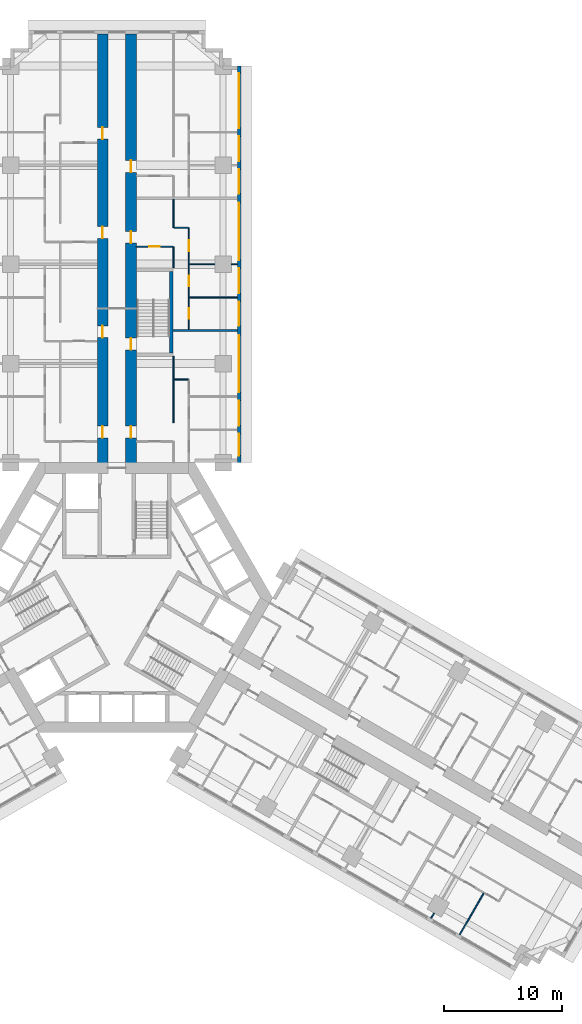
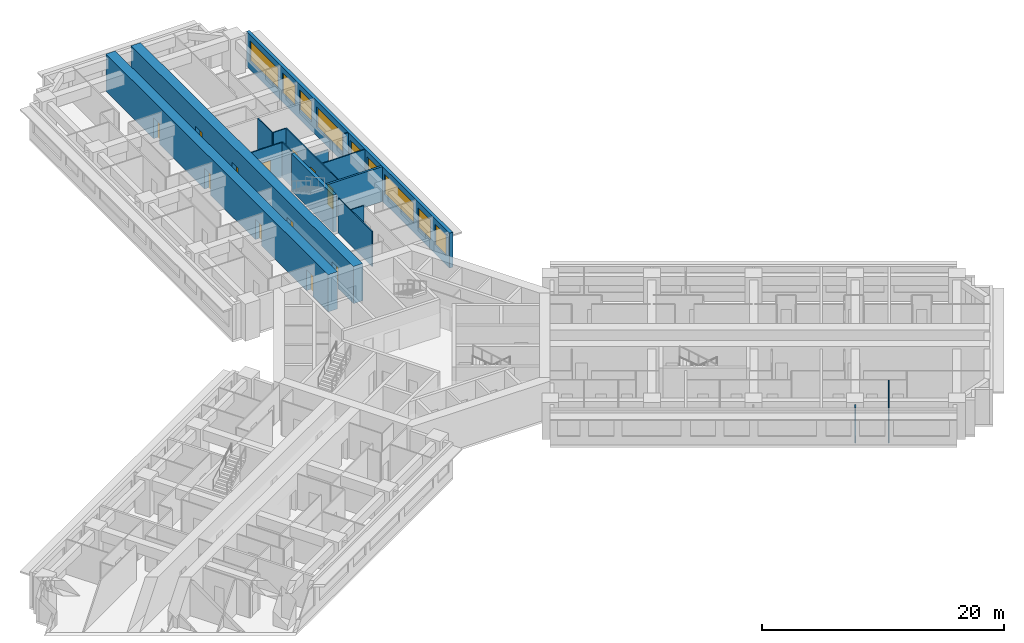
# One storey, part 10 of 16: 17 walls, 12 doors, 9 windows, 21 openings.
"""IFC4 building model written with IfcOpenShell, lengths in metres."""

from ifc_helpers import new_model, si_unit, direction, frame, frame_2d, origin, place, context, subcontext, project, spatial, rectangle, extrude, material, layer, layer_set, type_object, element, fill, save


model = new_model("IFC4")

# Units and contexts
model_context = context("Model", 3, precision=1e-05, world=origin(), true_north=direction((0.0, 1.0)))
body_context = subcontext(model_context, "Body", "Model", "MODEL_VIEW")
ifc_project = project(units=[si_unit("LENGTHUNIT", "METRE"), si_unit("AREAUNIT", "SQUARE_METRE"), si_unit("VOLUMEUNIT", "CUBIC_METRE"), si_unit("PLANEANGLEUNIT", "RADIAN"), si_unit("MASSUNIT", "GRAM", prefix="KILO")], contexts=[model_context])

# Site, building, storey
site_placement = place(None, origin())
site = spatial("IfcSite", under=ifc_project, at=site_placement, CompositionType="ELEMENT")
building_placement = place(site_placement, origin())
building = spatial("IfcBuilding", under=site, at=building_placement, Name="Impinga Residences", CompositionType="ELEMENT")
storey_placement = place(building_placement, frame((0.0, 0.0, 78.5)))
storey = spatial("IfcBuildingStorey", under=building, at=storey_placement, Name="L19", CompositionType="ELEMENT", Elevation=78.5)

# Wall, openings, doors
ifc_material_1 = material(Name="Concrete C70/85", Category="concrete")
ifc_layer_1 = layer(ifc_material_1, 0.89990234375)
ifc_layer_set_1 = layer_set([ifc_layer_1], Name="Concrete C70/85")
wall_type_1 = type_object("IfcWallType", Name="BW1 corridor buttress wall, L05 to L22 900", PredefinedType="SHEAR", material=ifc_layer_set_1)
wall_1_placement = place(storey_placement, frame((-1.199951171875, 10.9814453125, 0.0), z_axis=(0.0, 0.0, 1.0), x_axis=(0.0, 1.0, 0.0)))
wall_1 = element("IfcWall", 1, at=wall_1_placement, inside=storey, type_object=wall_type_1, Name="Corridor wall BW1 NC L19", PredefinedType="SHEAR", context=body_context, shape_type="SweptSolid", body=[
    extrude(rectangle(XDim=36.75, YDim=0.89990234375, at=frame_2d((18.375, 0.0))), origin(), (0.0, 0.0, 1.0), 3.75),
])
opening_1_placement = place(wall_1_placement, frame((2.550048828125, 0.0, 0.0)))
opening_1 = element("IfcOpeningElement", 2, at=opening_1_placement, cuts=wall_1, Name="Opening D1", PredefinedType="OPENING", context=body_context, shape_type="SweptSolid", body=[
    extrude(rectangle(XDim=1.0, YDim=2.10009765625, at=frame_2d((0.5, 1.050048828125))), frame((0.0, 0.4599609375, 0.0), z_axis=(0.0, -1.0, 0.0), x_axis=(1.0, 0.0, 0.0)), (0.0, 0.0, 1.0), 0.919921875),
])
opening_2_placement = place(wall_1_placement, frame((11.050048828125, 0.0, 0.0)))
opening_2 = element("IfcOpeningElement", 3, at=opening_2_placement, cuts=wall_1, Name="Opening D1", PredefinedType="OPENING", context=body_context, shape_type="SweptSolid", body=[
    extrude(rectangle(XDim=1.0, YDim=2.10009765625, at=frame_2d((0.5, 1.050048828125))), frame((0.0, 0.4599609375, 0.0), z_axis=(0.0, -1.0, 0.0), x_axis=(1.0, 0.0, 0.0)), (0.0, 0.0, 1.0), 0.919921875),
])
opening_3_placement = place(wall_1_placement, frame((19.449951171875, 0.0, 0.0)))
opening_3 = element("IfcOpeningElement", 4, at=opening_3_placement, cuts=wall_1, Name="Opening D1", PredefinedType="OPENING", context=body_context, shape_type="SweptSolid", body=[
    extrude(rectangle(XDim=1.0, YDim=2.10009765625, at=frame_2d((0.5, 1.050048828125))), frame((0.0, 0.4599609375, 0.0), z_axis=(0.0, -1.0, 0.0), x_axis=(1.0, 0.0, 0.0)), (0.0, 0.0, 1.0), 0.919921875),
])
opening_4_placement = place(wall_1_placement, frame((27.85009765625, 0.0, 0.0)))
opening_4 = element("IfcOpeningElement", 5, at=opening_4_placement, cuts=wall_1, Name="Opening D1", PredefinedType="OPENING", context=body_context, shape_type="SweptSolid", body=[
    extrude(rectangle(XDim=1.0, YDim=2.10009765625, at=frame_2d((0.5, 1.050048828125))), frame((0.0, 0.4599609375, 0.0), z_axis=(0.0, -1.0, 0.0), x_axis=(1.0, 0.0, 0.0)), (0.0, 0.0, 1.0), 0.919921875),
])
ifc_material_2 = material(Name="Timber door set", Category="wood")
door_type_1 = type_object("IfcDoorType", Name="D1 apartment entrance door 1000x2100", OperationType="SINGLE_SWING_LEFT", PredefinedType="DOOR", material=ifc_material_2)
door_1_placement = place(opening_1_placement, origin())
door_1 = element("IfcDoor", 6, at=door_1_placement, inside=storey, type_object=door_type_1, Name="Apartment L19-NA1 entrance", OperationType="SINGLE_SWING_LEFT", OverallHeight=2.10009765625, OverallWidth=1.0, PredefinedType="DOOR", context=body_context, shape_type="SweptSolid", body=[
    extrude(rectangle(XDim=1.0, YDim=2.10009765625, at=frame_2d((0.5, 1.050048828125))), frame((0.0, 0.02490234375, 0.0), z_axis=(0.0, -1.0, 0.0), x_axis=(1.0, 0.0, 0.0)), (0.0, 0.0, 1.0), 0.050048828125),
])
fill(opening_1, door_1)
door_2_placement = place(opening_2_placement, origin())
door_2 = element("IfcDoor", 7, at=door_2_placement, inside=storey, type_object=door_type_1, Name="Apartment L19-NA2 entrance", OperationType="SINGLE_SWING_LEFT", OverallHeight=2.10009765625, OverallWidth=1.0, PredefinedType="DOOR", context=body_context, shape_type="SweptSolid", body=[
    extrude(rectangle(XDim=1.0, YDim=2.10009765625, at=frame_2d((0.5, 1.050048828125))), frame((0.0, 0.02490234375, 0.0), z_axis=(0.0, -1.0, 0.0), x_axis=(1.0, 0.0, 0.0)), (0.0, 0.0, 1.0), 0.050048828125),
])
fill(opening_2, door_2)
door_3_placement = place(opening_3_placement, origin())
door_3 = element("IfcDoor", 8, at=door_3_placement, inside=storey, type_object=door_type_1, Name="Apartment L19-NA3 entrance", OperationType="SINGLE_SWING_RIGHT", OverallHeight=2.10009765625, OverallWidth=1.0, PredefinedType="DOOR", context=body_context, shape_type="SweptSolid", body=[
    extrude(rectangle(XDim=1.0, YDim=2.10009765625, at=frame_2d((0.5, 1.050048828125))), frame((0.0, 0.02490234375, 0.0), z_axis=(0.0, -1.0, 0.0), x_axis=(1.0, 0.0, 0.0)), (0.0, 0.0, 1.0), 0.050048828125),
])
fill(opening_3, door_3)
door_4_placement = place(opening_4_placement, origin())
door_4 = element("IfcDoor", 9, at=door_4_placement, inside=storey, type_object=door_type_1, Name="Apartment L19-NA4 entrance", OperationType="SINGLE_SWING_RIGHT", OverallHeight=2.10009765625, OverallWidth=1.0, PredefinedType="DOOR", context=body_context, shape_type="SweptSolid", body=[
    extrude(rectangle(XDim=1.0, YDim=2.10009765625, at=frame_2d((0.5, 1.050048828125))), frame((0.0, 0.02490234375, 0.0), z_axis=(0.0, -1.0, 0.0), x_axis=(1.0, 0.0, 0.0)), (0.0, 0.0, 1.0), 0.050048828125),
])
fill(opening_4, door_4)

wall_2_placement = place(storey_placement, frame((1.199951171875, 10.9814453125, 0.0), z_axis=(0.0, 0.0, 1.0), x_axis=(0.0, 1.0, 0.0)))
wall_2 = element("IfcWall", 10, at=wall_2_placement, inside=storey, type_object=wall_type_1, Name="Corridor wall BW1 ND L19", PredefinedType="SHEAR", context=body_context, shape_type="SweptSolid", body=[
    extrude(rectangle(XDim=36.75, YDim=0.89990234375, at=frame_2d((18.375, 0.0))), origin(), (0.0, 0.0, 1.0), 3.75),
])
opening_5_placement = place(wall_2_placement, frame((10.0, 0.0, 0.0)))
opening_5 = element("IfcOpeningElement", 11, at=opening_5_placement, cuts=wall_2, Name="Opening D5", PredefinedType="OPENING", context=body_context, shape_type="SweptSolid", body=[
    extrude(rectangle(XDim=1.0, YDim=2.10009765625, at=frame_2d((0.5, 1.050048828125))), frame((0.0, 0.4599609375, 0.0), z_axis=(0.0, -1.0, 0.0), x_axis=(1.0, 0.0, 0.0)), (0.0, 0.0, 1.0), 0.919921875),
])
opening_6_placement = place(wall_2_placement, frame((2.550048828125, 0.0, 0.0)))
opening_6 = element("IfcOpeningElement", 12, at=opening_6_placement, cuts=wall_2, Name="Opening D1", PredefinedType="OPENING", context=body_context, shape_type="SweptSolid", body=[
    extrude(rectangle(XDim=1.0, YDim=2.10009765625, at=frame_2d((0.5, 1.050048828125))), frame((0.0, 0.4599609375, 0.0), z_axis=(0.0, -1.0, 0.0), x_axis=(1.0, 0.0, 0.0)), (0.0, 0.0, 1.0), 0.919921875),
])
opening_7_placement = place(wall_2_placement, frame((19.050048828125, 0.0, 0.0)))
opening_7 = element("IfcOpeningElement", 13, at=opening_7_placement, cuts=wall_2, Name="Opening D1", PredefinedType="OPENING", context=body_context, shape_type="SweptSolid", body=[
    extrude(rectangle(XDim=1.0, YDim=2.10009765625, at=frame_2d((0.5, 1.050048828125))), frame((0.0, 0.4599609375, 0.0), z_axis=(0.0, -1.0, 0.0), x_axis=(1.0, 0.0, 0.0)), (0.0, 0.0, 1.0), 0.919921875),
])
opening_8_placement = place(wall_2_placement, frame((25.050048828125, 0.0, 0.0)))
opening_8 = element("IfcOpeningElement", 14, at=opening_8_placement, cuts=wall_2, Name="Opening D1", PredefinedType="OPENING", context=body_context, shape_type="SweptSolid", body=[
    extrude(rectangle(XDim=1.0, YDim=2.10009765625, at=frame_2d((0.5, 1.050048828125))), frame((0.0, 0.4599609375, 0.0), z_axis=(0.0, -1.0, 0.0), x_axis=(1.0, 0.0, 0.0)), (0.0, 0.0, 1.0), 0.919921875),
])
door_5_placement = place(opening_6_placement, origin())
door_5 = element("IfcDoor", 15, at=door_5_placement, inside=storey, type_object=door_type_1, Name="Apartment L19-NF1 entrance", OperationType="SINGLE_SWING_LEFT", OverallHeight=2.10009765625, OverallWidth=1.0, PredefinedType="DOOR", context=body_context, shape_type="SweptSolid", body=[
    extrude(rectangle(XDim=1.0, YDim=2.10009765625, at=frame_2d((0.5, 1.050048828125))), frame((0.0, 0.02490234375, 0.0), z_axis=(0.0, -1.0, 0.0), x_axis=(1.0, 0.0, 0.0)), (0.0, 0.0, 1.0), 0.050048828125),
])
fill(opening_6, door_5)
door_6_placement = place(opening_7_placement, origin())
door_6 = element("IfcDoor", 16, at=door_6_placement, inside=storey, type_object=door_type_1, Name="Apartment L19-NF2 entrance", OperationType="SINGLE_SWING_RIGHT", OverallHeight=2.10009765625, OverallWidth=1.0, PredefinedType="DOOR", context=body_context, shape_type="SweptSolid", body=[
    extrude(rectangle(XDim=1.0, YDim=2.10009765625, at=frame_2d((0.5, 1.050048828125))), frame((0.0, 0.02490234375, 0.0), z_axis=(0.0, -1.0, 0.0), x_axis=(1.0, 0.0, 0.0)), (0.0, 0.0, 1.0), 0.050048828125),
])
fill(opening_7, door_6)
door_7_placement = place(opening_8_placement, origin())
door_7 = element("IfcDoor", 17, at=door_7_placement, inside=storey, type_object=door_type_1, Name="Apartment L19-NF3 entrance", OperationType="SINGLE_SWING_RIGHT", OverallHeight=2.10009765625, OverallWidth=1.0, PredefinedType="DOOR", context=body_context, shape_type="SweptSolid", body=[
    extrude(rectangle(XDim=1.0, YDim=2.10009765625, at=frame_2d((0.5, 1.050048828125))), frame((0.0, 0.02490234375, 0.0), z_axis=(0.0, -1.0, 0.0), x_axis=(1.0, 0.0, 0.0)), (0.0, 0.0, 1.0), 0.050048828125),
])
fill(opening_8, door_7)
door_type_2 = type_object("IfcDoorType", Name="D5 stair door 1000x2100", OperationType="SINGLE_SWING_LEFT", PredefinedType="DOOR", material=ifc_material_2)
door_8_placement = place(opening_5_placement, origin())
door_8 = element("IfcDoor", 18, at=door_8_placement, inside=storey, type_object=door_type_2, Name="Wing stair door N", OperationType="SINGLE_SWING_LEFT", OverallHeight=2.10009765625, OverallWidth=1.0, PredefinedType="DOOR", context=body_context, shape_type="SweptSolid", body=[
    extrude(rectangle(XDim=1.0, YDim=2.10009765625, at=frame_2d((0.5, 1.050048828125))), frame((0.0, 0.02490234375, 0.0), z_axis=(0.0, -1.0, 0.0), x_axis=(1.0, 0.0, 0.0)), (0.0, 0.0, 1.0), 0.050048828125),
])
fill(opening_5, door_8)

# Wall, openings, windows
ifc_material_3 = material(Name="Terracotta rainscreen on blockwork", Category="masonry")
ifc_layer_2 = layer(ifc_material_3, 0.300048828125)
ifc_layer_set_2 = layer_set([ifc_layer_2], Name="EW1 external wall, terracotta rainscreen on blockwork 300")
wall_type_2 = type_object("IfcWallType", Name="EW1 external wall, terracotta rainscreen on blockwork 300", PredefinedType="SOLIDWALL", material=ifc_layer_set_2)
wall_3_placement = place(storey_placement, frame((10.35009765625, 45.031494140625, 0.0), z_axis=(0.0, 0.0, 1.0), x_axis=(0.0, -1.0, 0.0)))
wall_3 = element("IfcWall", 19, at=wall_3_placement, inside=storey, type_object=wall_type_2, Name="External wall EW1 L19", PredefinedType="SOLIDWALL", context=body_context, shape_type="SweptSolid", body=[
    extrude(rectangle(XDim=33.599853515625, YDim=0.300048828125, at=frame_2d((16.7998046875, 0.0))), origin(), (0.0, 0.0, 1.0), 3.530029296875),
])
opening_9_placement = place(wall_3_placement, frame((0.60009765625, 0.0, 0.89990234375)))
opening_9 = element("IfcOpeningElement", 20, at=opening_9_placement, cuts=wall_3, Name="Opening W10", PredefinedType="OPENING", context=body_context, shape_type="SweptSolid", body=[
    extrude(rectangle(XDim=4.64990234375, YDim=2.050048828125, at=frame_2d((2.324951171875, 1.02490234375))), frame((0.0, 0.159912109375, 0.0), z_axis=(0.0, -1.0, 0.0), x_axis=(1.0, 0.0, 0.0)), (0.0, 0.0, 1.0), 0.320068359375),
])
opening_10_placement = place(wall_3_placement, frame((5.949951171875, 0.0, 0.89990234375)))
opening_10 = element("IfcOpeningElement", 21, at=opening_10_placement, cuts=wall_3, Name="Opening W9", PredefinedType="OPENING", context=body_context, shape_type="SweptSolid", body=[
    extrude(rectangle(XDim=2.10009765625, YDim=2.050048828125, at=frame_2d((1.050048828125, 1.02490234375))), frame((0.0, 0.159912109375, 0.0), z_axis=(0.0, -1.0, 0.0), x_axis=(1.0, 0.0, 0.0)), (0.0, 0.0, 1.0), 0.320068359375),
])
opening_11_placement = place(wall_3_placement, frame((8.75, 0.0, 0.89990234375)))
opening_11 = element("IfcOpeningElement", 22, at=opening_11_placement, cuts=wall_3, Name="Opening W14", PredefinedType="OPENING", context=body_context, shape_type="SweptSolid", body=[
    extrude(rectangle(XDim=2.050048828125, YDim=2.050048828125, at=frame_2d((1.02490234375, 1.02490234375))), frame((0.0, 0.159912109375, 0.0), z_axis=(0.0, -1.0, 0.0), x_axis=(1.0, 0.0, 0.0)), (0.0, 0.0, 1.0), 0.320068359375),
])
opening_12_placement = place(wall_3_placement, frame((11.60009765625, 0.0, 0.89990234375)))
opening_12 = element("IfcOpeningElement", 23, at=opening_12_placement, cuts=wall_3, Name="Opening W6", PredefinedType="OPENING", context=body_context, shape_type="SweptSolid", body=[
    extrude(rectangle(XDim=4.85009765625, YDim=2.050048828125, at=frame_2d((2.425048828125, 1.02490234375))), frame((0.0, 0.159912109375, 0.0), z_axis=(0.0, -1.0, 0.0), x_axis=(1.0, 0.0, 0.0)), (0.0, 0.0, 1.0), 0.320068359375),
])
opening_13_placement = place(wall_3_placement, frame((17.14990234375, 0.0, 0.89990234375)))
opening_13 = element("IfcOpeningElement", 24, at=opening_13_placement, cuts=wall_3, Name="Opening W9", PredefinedType="OPENING", context=body_context, shape_type="SweptSolid", body=[
    extrude(rectangle(XDim=2.10009765625, YDim=2.050048828125, at=frame_2d((1.050048828125, 1.02490234375))), frame((0.0, 0.159912109375, 0.0), z_axis=(0.0, -1.0, 0.0), x_axis=(1.0, 0.0, 0.0)), (0.0, 0.0, 1.0), 0.320068359375),
])
opening_14_placement = place(wall_3_placement, frame((19.949951171875, 0.0, 0.89990234375)))
opening_14 = element("IfcOpeningElement", 25, at=opening_14_placement, cuts=wall_3, Name="Opening W14", PredefinedType="OPENING", context=body_context, shape_type="SweptSolid", body=[
    extrude(rectangle(XDim=2.050048828125, YDim=2.050048828125, at=frame_2d((1.02490234375, 1.02490234375))), frame((0.0, 0.159912109375, 0.0), z_axis=(0.0, -1.0, 0.0), x_axis=(1.0, 0.0, 0.0)), (0.0, 0.0, 1.0), 0.320068359375),
])
opening_15_placement = place(wall_3_placement, frame((22.800048828125, 0.0, 0.89990234375)))
opening_15 = element("IfcOpeningElement", 26, at=opening_15_placement, cuts=wall_3, Name="Opening W6", PredefinedType="OPENING", context=body_context, shape_type="SweptSolid", body=[
    extrude(rectangle(XDim=4.85009765625, YDim=2.050048828125, at=frame_2d((2.425048828125, 1.02490234375))), frame((0.0, 0.159912109375, 0.0), z_axis=(0.0, -1.0, 0.0), x_axis=(1.0, 0.0, 0.0)), (0.0, 0.0, 1.0), 0.320068359375),
])
opening_16_placement = place(wall_3_placement, frame((28.35009765625, 0.0, 0.89990234375)))
opening_16 = element("IfcOpeningElement", 27, at=opening_16_placement, cuts=wall_3, Name="Opening W9", PredefinedType="OPENING", context=body_context, shape_type="SweptSolid", body=[
    extrude(rectangle(XDim=2.10009765625, YDim=2.050048828125, at=frame_2d((1.050048828125, 1.02490234375))), frame((0.0, 0.159912109375, 0.0), z_axis=(0.0, -1.0, 0.0), x_axis=(1.0, 0.0, 0.0)), (0.0, 0.0, 1.0), 0.320068359375),
])
opening_17_placement = place(wall_3_placement, frame((31.14990234375, 0.0, 0.89990234375)))
opening_17 = element("IfcOpeningElement", 28, at=opening_17_placement, cuts=wall_3, Name="Opening W15", PredefinedType="OPENING", context=body_context, shape_type="SweptSolid", body=[
    extrude(rectangle(XDim=1.85009765625, YDim=2.050048828125, at=frame_2d((0.925048828125, 1.02490234375))), frame((0.0, 0.159912109375, 0.0), z_axis=(0.0, -1.0, 0.0), x_axis=(1.0, 0.0, 0.0)), (0.0, 0.0, 1.0), 0.320068359375),
])
ifc_material_4 = material(Name="Aluminium window, clear double glazing", Category="aluminium")
window_type_1 = type_object("IfcWindowType", Name="W10 ribbon window 4650x2050", PartitioningType="SINGLE_PANEL", PredefinedType="WINDOW", material=ifc_material_4)
window_1_placement = place(opening_9_placement, origin())
window_1 = element("IfcWindow", 29, at=window_1_placement, inside=storey, type_object=window_type_1, Name="Window L19", OverallHeight=2.050048828125, OverallWidth=4.64990234375, PartitioningType="SINGLE_PANEL", PredefinedType="WINDOW", context=body_context, shape_type="SweptSolid", body=[
    extrude(rectangle(XDim=4.64990234375, YDim=2.050048828125, at=frame_2d((2.324951171875, 1.02490234375))), frame((0.0, 0.030029296875, 0.0), z_axis=(0.0, -1.0, 0.0), x_axis=(1.0, 0.0, 0.0)), (0.0, 0.0, 1.0), 0.06005859375),
])
fill(opening_9, window_1)
window_type_2 = type_object("IfcWindowType", Name="W14 ribbon window 2050x2050", PartitioningType="SINGLE_PANEL", PredefinedType="WINDOW", material=ifc_material_4)
window_2_placement = place(opening_11_placement, origin())
window_2 = element("IfcWindow", 30, at=window_2_placement, inside=storey, type_object=window_type_2, Name="Window L19", OverallHeight=2.050048828125, OverallWidth=2.050048828125, PartitioningType="SINGLE_PANEL", PredefinedType="WINDOW", context=body_context, shape_type="SweptSolid", body=[
    extrude(rectangle(XDim=2.050048828125, YDim=2.050048828125, at=frame_2d((1.02490234375, 1.02490234375))), frame((0.0, 0.030029296875, 0.0), z_axis=(0.0, -1.0, 0.0), x_axis=(1.0, 0.0, 0.0)), (0.0, 0.0, 1.0), 0.06005859375),
])
fill(opening_11, window_2)
window_3_placement = place(opening_14_placement, origin())
window_3 = element("IfcWindow", 31, at=window_3_placement, inside=storey, type_object=window_type_2, Name="Window L19", OverallHeight=2.050048828125, OverallWidth=2.050048828125, PartitioningType="SINGLE_PANEL", PredefinedType="WINDOW", context=body_context, shape_type="SweptSolid", body=[
    extrude(rectangle(XDim=2.050048828125, YDim=2.050048828125, at=frame_2d((1.02490234375, 1.02490234375))), frame((0.0, 0.030029296875, 0.0), z_axis=(0.0, -1.0, 0.0), x_axis=(1.0, 0.0, 0.0)), (0.0, 0.0, 1.0), 0.06005859375),
])
fill(opening_14, window_3)
window_type_3 = type_object("IfcWindowType", Name="W15 ribbon window 1850x2050", PartitioningType="SINGLE_PANEL", PredefinedType="WINDOW", material=ifc_material_4)
window_4_placement = place(opening_17_placement, origin())
window_4 = element("IfcWindow", 32, at=window_4_placement, inside=storey, type_object=window_type_3, Name="Window L19", OverallHeight=2.050048828125, OverallWidth=1.85009765625, PartitioningType="SINGLE_PANEL", PredefinedType="WINDOW", context=body_context, shape_type="SweptSolid", body=[
    extrude(rectangle(XDim=1.85009765625, YDim=2.050048828125, at=frame_2d((0.925048828125, 1.02490234375))), frame((0.0, 0.030029296875, 0.0), z_axis=(0.0, -1.0, 0.0), x_axis=(1.0, 0.0, 0.0)), (0.0, 0.0, 1.0), 0.06005859375),
])
fill(opening_17, window_4)
window_type_4 = type_object("IfcWindowType", Name="W6 ribbon window 4850x2050", PartitioningType="SINGLE_PANEL", PredefinedType="WINDOW", material=ifc_material_4)
window_5_placement = place(opening_12_placement, origin())
window_5 = element("IfcWindow", 33, at=window_5_placement, inside=storey, type_object=window_type_4, Name="Window L19", OverallHeight=2.050048828125, OverallWidth=4.85009765625, PartitioningType="SINGLE_PANEL", PredefinedType="WINDOW", context=body_context, shape_type="SweptSolid", body=[
    extrude(rectangle(XDim=4.85009765625, YDim=2.050048828125, at=frame_2d((2.425048828125, 1.02490234375))), frame((0.0, 0.030029296875, 0.0), z_axis=(0.0, -1.0, 0.0), x_axis=(1.0, 0.0, 0.0)), (0.0, 0.0, 1.0), 0.06005859375),
])
fill(opening_12, window_5)
window_6_placement = place(opening_15_placement, origin())
window_6 = element("IfcWindow", 34, at=window_6_placement, inside=storey, type_object=window_type_4, Name="Window L19", OverallHeight=2.050048828125, OverallWidth=4.85009765625, PartitioningType="SINGLE_PANEL", PredefinedType="WINDOW", context=body_context, shape_type="SweptSolid", body=[
    extrude(rectangle(XDim=4.85009765625, YDim=2.050048828125, at=frame_2d((2.425048828125, 1.02490234375))), frame((0.0, 0.030029296875, 0.0), z_axis=(0.0, -1.0, 0.0), x_axis=(1.0, 0.0, 0.0)), (0.0, 0.0, 1.0), 0.06005859375),
])
fill(opening_15, window_6)
window_type_5 = type_object("IfcWindowType", Name="W9 ribbon window 2100x2050", PartitioningType="SINGLE_PANEL", PredefinedType="WINDOW", material=ifc_material_4)
window_7_placement = place(opening_10_placement, origin())
window_7 = element("IfcWindow", 35, at=window_7_placement, inside=storey, type_object=window_type_5, Name="Window L19", OverallHeight=2.050048828125, OverallWidth=2.10009765625, PartitioningType="SINGLE_PANEL", PredefinedType="WINDOW", context=body_context, shape_type="SweptSolid", body=[
    extrude(rectangle(XDim=2.10009765625, YDim=2.050048828125, at=frame_2d((1.050048828125, 1.02490234375))), frame((0.0, 0.030029296875, 0.0), z_axis=(0.0, -1.0, 0.0), x_axis=(1.0, 0.0, 0.0)), (0.0, 0.0, 1.0), 0.06005859375),
])
fill(opening_10, window_7)
window_8_placement = place(opening_13_placement, origin())
window_8 = element("IfcWindow", 36, at=window_8_placement, inside=storey, type_object=window_type_5, Name="Window L19", OverallHeight=2.050048828125, OverallWidth=2.10009765625, PartitioningType="SINGLE_PANEL", PredefinedType="WINDOW", context=body_context, shape_type="SweptSolid", body=[
    extrude(rectangle(XDim=2.10009765625, YDim=2.050048828125, at=frame_2d((1.050048828125, 1.02490234375))), frame((0.0, 0.030029296875, 0.0), z_axis=(0.0, -1.0, 0.0), x_axis=(1.0, 0.0, 0.0)), (0.0, 0.0, 1.0), 0.06005859375),
])
fill(opening_13, window_8)
window_9_placement = place(opening_16_placement, origin())
window_9 = element("IfcWindow", 37, at=window_9_placement, inside=storey, type_object=window_type_5, Name="Window L19", OverallHeight=2.050048828125, OverallWidth=2.10009765625, PartitioningType="SINGLE_PANEL", PredefinedType="WINDOW", context=body_context, shape_type="SweptSolid", body=[
    extrude(rectangle(XDim=2.10009765625, YDim=2.050048828125, at=frame_2d((1.050048828125, 1.02490234375))), frame((0.0, 0.030029296875, 0.0), z_axis=(0.0, -1.0, 0.0), x_axis=(1.0, 0.0, 0.0)), (0.0, 0.0, 1.0), 0.06005859375),
])
fill(opening_16, window_9)

# Walls
ifc_material_5 = material(Name="Gypsum board on steel studs", Category="steel")
ifc_layer_3 = layer(ifc_material_5, 0.10009765625)
ifc_layer_set_3 = layer_set([ifc_layer_3], Name="Gypsum board on steel studs")
wall_type_3 = type_object("IfcWallType", Name="IP1 partition 100", PredefinedType="PARTITIONING", material=ifc_layer_set_3)
wall_4_placement = place(storey_placement, frame((4.800048828125, 14.83154296875, 0.0), z_axis=(0.0, 0.0, 1.0), x_axis=(0.0, 1.0, 0.0)))
element("IfcWall", 38, at=wall_4_placement, inside=storey, type_object=wall_type_3, Name="Partition L19-NF1:DIV1", PredefinedType="PARTITIONING", context=body_context, shape_type="SweptSolid", body=[
    extrude(rectangle(XDim=5.60009765625, YDim=0.10009765625, at=frame_2d((2.800048828125, 0.0))), origin(), (0.0, 0.0, 1.0), 3.530029296875),
])
wall_5_placement = place(storey_placement, frame((4.85009765625, 18.4814453125, 0.0), z_axis=(0.0, 0.0, 1.0), x_axis=(1.0, 0.0, 0.0)))
element("IfcWall", 39, at=wall_5_placement, inside=storey, type_object=wall_type_3, Name="Partition L19-NF1:SE1", PredefinedType="PARTITIONING", context=body_context, shape_type="SweptSolid", body=[
    extrude(rectangle(XDim=1.199951171875, YDim=0.10009765625, at=frame_2d((0.60009765625, 0.0))), origin(), (0.0, 0.0, 1.0), 3.530029296875),
])
wall_6_placement = place(storey_placement, frame((4.800048828125, 27.931640625, 0.0), z_axis=(0.0, 0.0, 1.0), x_axis=(0.0, 1.0, 0.0)))
element("IfcWall", 40, at=wall_6_placement, inside=storey, type_object=wall_type_3, Name="Partition L19-NF2:DIV0", PredefinedType="PARTITIONING", context=body_context, shape_type="SweptSolid", body=[
    extrude(rectangle(XDim=1.7998046875, YDim=0.10009765625, at=frame_2d((0.89990234375, 0.0))), origin(), (0.0, 0.0, 1.0), 3.530029296875),
])
wall_7_placement = place(storey_placement, frame((4.800048828125, 31.33154296875, 0.0), z_axis=(0.0, 0.0, 1.0), x_axis=(0.0, 1.0, 0.0)))
element("IfcWall", 41, at=wall_7_placement, inside=storey, type_object=wall_type_3, Name="Partition L19-NF2:DIV1", PredefinedType="PARTITIONING", context=body_context, shape_type="SweptSolid", body=[
    extrude(rectangle(XDim=2.39990234375, YDim=0.10009765625, at=frame_2d((1.199951171875, 0.0))), origin(), (0.0, 0.0, 1.0), 3.530029296875),
])

# Wall, openings, doors
wall_8_placement = place(storey_placement, frame((6.10009765625, 22.7314453125, 0.0), z_axis=(0.0, 0.0, 1.0), x_axis=(0.0, 1.0, 0.0)))
wall_8 = element("IfcWall", 42, at=wall_8_placement, inside=storey, type_object=wall_type_3, Name="Partition L19-NF2:STRIP", PredefinedType="PARTITIONING", context=body_context, shape_type="SweptSolid", body=[
    extrude(rectangle(XDim=8.60009765625, YDim=0.10009765625, at=frame_2d((4.300048828125, 0.0))), origin(), (0.0, 0.0, 1.0), 3.530029296875),
])
opening_18_placement = place(wall_8_placement, frame((0.875, 0.0, 0.0)))
opening_18 = element("IfcOpeningElement", 43, at=opening_18_placement, cuts=wall_8, Name="Opening D2", PredefinedType="OPENING", context=body_context, shape_type="SweptSolid", body=[
    extrude(rectangle(XDim=0.89990234375, YDim=2.10009765625, at=frame_2d((0.449951171875, 1.050048828125))), frame((0.0, 0.06005859375, 0.0), z_axis=(0.0, -1.0, 0.0), x_axis=(1.0, 0.0, 0.0)), (0.0, 0.0, 1.0), 0.1201171875),
])
opening_19_placement = place(wall_8_placement, frame((3.64990234375, 0.0, 0.0)))
opening_19 = element("IfcOpeningElement", 44, at=opening_19_placement, cuts=wall_8, Name="Opening D2", PredefinedType="OPENING", context=body_context, shape_type="SweptSolid", body=[
    extrude(rectangle(XDim=0.89990234375, YDim=2.10009765625, at=frame_2d((0.449951171875, 1.050048828125))), frame((0.0, 0.06005859375, 0.0), z_axis=(0.0, -1.0, 0.0), x_axis=(1.0, 0.0, 0.0)), (0.0, 0.0, 1.0), 0.1201171875),
])
opening_20_placement = place(wall_8_placement, frame((6.625, 0.0, 0.0)))
opening_20 = element("IfcOpeningElement", 45, at=opening_20_placement, cuts=wall_8, Name="Opening D2", PredefinedType="OPENING", context=body_context, shape_type="SweptSolid", body=[
    extrude(rectangle(XDim=0.89990234375, YDim=2.10009765625, at=frame_2d((0.449951171875, 1.050048828125))), frame((0.0, 0.06005859375, 0.0), z_axis=(0.0, -1.0, 0.0), x_axis=(1.0, 0.0, 0.0)), (0.0, 0.0, 1.0), 0.1201171875),
])
door_type_3 = type_object("IfcDoorType", Name="D2 internal door 900x2100", OperationType="SINGLE_SWING_LEFT", PredefinedType="DOOR", material=ifc_material_2)
door_9_placement = place(opening_18_placement, origin())
door_9 = element("IfcDoor", 46, at=door_9_placement, inside=storey, type_object=door_type_3, Name="Apartment L19-NF2 room door", OperationType="SINGLE_SWING_LEFT", OverallHeight=2.10009765625, OverallWidth=0.89990234375, PredefinedType="DOOR", context=body_context, shape_type="SweptSolid", body=[
    extrude(rectangle(XDim=0.89990234375, YDim=2.10009765625, at=frame_2d((0.449951171875, 1.050048828125))), frame((0.0, 0.02490234375, 0.0), z_axis=(0.0, -1.0, 0.0), x_axis=(1.0, 0.0, 0.0)), (0.0, 0.0, 1.0), 0.050048828125),
])
fill(opening_18, door_9)
door_10_placement = place(opening_19_placement, origin())
door_10 = element("IfcDoor", 47, at=door_10_placement, inside=storey, type_object=door_type_3, Name="Apartment L19-NF2 room door", OperationType="SINGLE_SWING_LEFT", OverallHeight=2.10009765625, OverallWidth=0.89990234375, PredefinedType="DOOR", context=body_context, shape_type="SweptSolid", body=[
    extrude(rectangle(XDim=0.89990234375, YDim=2.10009765625, at=frame_2d((0.449951171875, 1.050048828125))), frame((0.0, 0.02490234375, 0.0), z_axis=(0.0, -1.0, 0.0), x_axis=(1.0, 0.0, 0.0)), (0.0, 0.0, 1.0), 0.050048828125),
])
fill(opening_19, door_10)
door_11_placement = place(opening_20_placement, origin())
door_11 = element("IfcDoor", 48, at=door_11_placement, inside=storey, type_object=door_type_3, Name="Apartment L19-NF2 room door", OperationType="SINGLE_SWING_RIGHT", OverallHeight=2.10009765625, OverallWidth=0.89990234375, PredefinedType="DOOR", context=body_context, shape_type="SweptSolid", body=[
    extrude(rectangle(XDim=0.89990234375, YDim=2.10009765625, at=frame_2d((0.449951171875, 1.050048828125))), frame((0.0, 0.02490234375, 0.0), z_axis=(0.0, -1.0, 0.0), x_axis=(1.0, 0.0, 0.0)), (0.0, 0.0, 1.0), 0.050048828125),
])
fill(opening_20, door_11)

# Wall
wall_9_placement = place(storey_placement, frame((4.85009765625, 31.33154296875, 0.0), z_axis=(0.0, 0.0, 1.0), x_axis=(1.0, 0.0, 0.0)))
element("IfcWall", 49, at=wall_9_placement, inside=storey, type_object=wall_type_3, Name="Partition L19-NF2:SE1", PredefinedType="PARTITIONING", context=body_context, shape_type="SweptSolid", body=[
    extrude(rectangle(XDim=1.199951171875, YDim=0.10009765625, at=frame_2d((0.60009765625, 0.0))), origin(), (0.0, 0.0, 1.0), 3.530029296875),
])

# Wall, opening, door
wall_10_placement = place(storey_placement, frame((1.64990234375, 29.7314453125, 0.0), z_axis=(0.0, 0.0, 1.0), x_axis=(1.0, 0.0, 0.0)))
wall_10 = element("IfcWall", 50, at=wall_10_placement, inside=storey, type_object=wall_type_3, Name="Partition L19-NF2:IB1", PredefinedType="PARTITIONING", context=body_context, shape_type="SweptSolid", body=[
    extrude(rectangle(XDim=3.10009765625, YDim=0.10009765625, at=frame_2d((1.550048828125, 0.0))), origin(), (0.0, 0.0, 1.0), 3.530029296875),
])
opening_21_placement = place(wall_10_placement, frame((1.10009765625, 0.0, 0.0)))
opening_21 = element("IfcOpeningElement", 51, at=opening_21_placement, cuts=wall_10, Name="Opening D2", PredefinedType="OPENING", context=body_context, shape_type="SweptSolid", body=[
    extrude(rectangle(XDim=0.89990234375, YDim=2.10009765625, at=frame_2d((0.449951171875, 1.050048828125))), frame((0.0, 0.06005859375, 0.0), z_axis=(0.0, -1.0, 0.0), x_axis=(1.0, 0.0, 0.0)), (0.0, 0.0, 1.0), 0.1201171875),
])
door_12_placement = place(opening_21_placement, origin())
door_12 = element("IfcDoor", 52, at=door_12_placement, inside=storey, type_object=door_type_3, Name="Apartment L19-NF2 bathroom door", OperationType="SINGLE_SWING_LEFT", OverallHeight=2.10009765625, OverallWidth=0.89990234375, PredefinedType="DOOR", context=body_context, shape_type="SweptSolid", body=[
    extrude(rectangle(XDim=0.89990234375, YDim=2.10009765625, at=frame_2d((0.449951171875, 1.050048828125))), frame((0.0, 0.02490234375, 0.0), z_axis=(0.0, -1.0, 0.0), x_axis=(1.0, 0.0, 0.0)), (0.0, 0.0, 1.0), 0.050048828125),
])
fill(opening_21, door_12)

# Walls
wall_11_placement = place(storey_placement, frame((6.14990234375, 25.431640625, 0.0), z_axis=(0.0, 0.0, 1.0), x_axis=(1.0, 0.0, 0.0)))
element("IfcWall", 53, at=wall_11_placement, inside=storey, type_object=wall_type_3, Name="Partition L19-NF2:OB1", PredefinedType="PARTITIONING", context=body_context, shape_type="SweptSolid", body=[
    extrude(rectangle(XDim=4.050048828125, YDim=0.10009765625, at=frame_2d((2.02490234375, 0.0))), origin(), (0.0, 0.0, 1.0), 3.530029296875),
])
wall_12_placement = place(storey_placement, frame((6.14990234375, 28.2314453125, 0.0), z_axis=(0.0, 0.0, 1.0), x_axis=(1.0, 0.0, 0.0)))
element("IfcWall", 54, at=wall_12_placement, inside=storey, type_object=wall_type_3, Name="Partition L19-NF2:OB2", PredefinedType="PARTITIONING", context=body_context, shape_type="SweptSolid", body=[
    extrude(rectangle(XDim=2.150146484375, YDim=0.10009765625, at=frame_2d((1.0751953125, 0.0))), origin(), (0.0, 0.0, 1.0), 2.47998046875),
])
wall_13_placement = place(storey_placement, frame((9.699951171875, 28.2314453125, 0.0), z_axis=(0.0, 0.0, 1.0), x_axis=(1.0, 0.0, 0.0)))
element("IfcWall", 55, at=wall_13_placement, inside=storey, type_object=wall_type_3, Name="Partition L19-NF2:OB2b", PredefinedType="PARTITIONING", context=body_context, shape_type="SweptSolid", body=[
    extrude(rectangle(XDim=0.5, YDim=0.10009765625, at=frame_2d((0.25, 0.0))), origin(), (0.0, 0.0, 1.0), 3.530029296875),
])
wall_14_placement = place(storey_placement, frame((26.873779296875, -26.71630859375, 0.0), z_axis=(0.0, 0.0, 1.0), x_axis=(-0.500131122175, -0.865949687125, 0.0)))
element("IfcWall", 56, at=wall_14_placement, inside=storey, type_object=wall_type_3, Name="Partition L19-EF3:OB1b", PredefinedType="PARTITIONING", context=body_context, shape_type="SweptSolid", body=[
    extrude(rectangle(XDim=0.499755859375, YDim=0.10009765625, at=frame_2d((0.25, 0.0))), origin(), (0.0, 0.0, 1.0), 3.530029296875),
])
wall_15_placement = place(storey_placement, frame((31.07373046875, -25.041748046875, 0.0), z_axis=(0.0, 0.0, 1.0), x_axis=(-0.499964223975, -0.866046058097, 0.0)))
element("IfcWall", 57, at=wall_15_placement, inside=storey, type_object=wall_type_3, Name="Partition L19-EF3:OB2", PredefinedType="PARTITIONING", context=body_context, shape_type="SweptSolid", body=[
    extrude(rectangle(XDim=4.050048828125, YDim=0.10009765625, at=frame_2d((2.02490234375, 0.0))), origin(), (0.0, 0.0, 1.0), 3.530029296875),
])
ifc_material_6 = material(Name="Concrete blockwork", Category="masonry")
ifc_layer_4 = layer(ifc_material_6, 0.199951171875)
ifc_layer_set_4 = layer_set([ifc_layer_4], Name="PW1 party wall between apartments 200")
wall_type_4 = type_object("IfcWallType", Name="PW1 party wall between apartments 200", PredefinedType="SOLIDWALL", material=ifc_layer_set_4)
wall_16_placement = place(storey_placement, frame((4.75, 22.631591796875, 0.0), z_axis=(0.0, 0.0, 1.0), x_axis=(1.0, 0.0, 0.0)))
element("IfcWall", 58, at=wall_16_placement, inside=storey, type_object=wall_type_4, Name="Party wall between apartments L19-NF1:PARTY", PredefinedType="SOLIDWALL", context=body_context, shape_type="SweptSolid", body=[
    extrude(rectangle(XDim=5.449951171875, YDim=0.199951171875, at=frame_2d((2.72509765625, 0.0))), origin(), (0.0, 0.0, 1.0), 3.530029296875),
])
ifc_material_7 = material(Name="Concrete C60/75", Category="concrete")
ifc_layer_5 = layer(ifc_material_7, 0.300048828125)
ifc_layer_set_5 = layer_set([ifc_layer_5], Name="Concrete C60/75")
wall_type_5 = type_object("IfcWallType", Name="SE1 wing stair enclosure wall 300", PredefinedType="SOLIDWALL", material=ifc_layer_set_5)
wall_17_placement = place(storey_placement, frame((4.60009765625, 20.7314453125, 0.0), z_axis=(0.0, 0.0, 1.0), x_axis=(0.0, 1.0, 0.0)))
element("IfcWall", 59, at=wall_17_placement, inside=storey, type_object=wall_type_5, Name="Stair enclosure wall SE1 N OUT L19", PredefinedType="SOLIDWALL", context=body_context, shape_type="SweptSolid", body=[
    extrude(rectangle(XDim=6.900146484375, YDim=0.300048828125, at=frame_2d((3.4501953125, 0.0))), origin(), (0.0, 0.0, 1.0), 3.75),
])

save(model, "model.ifc")
